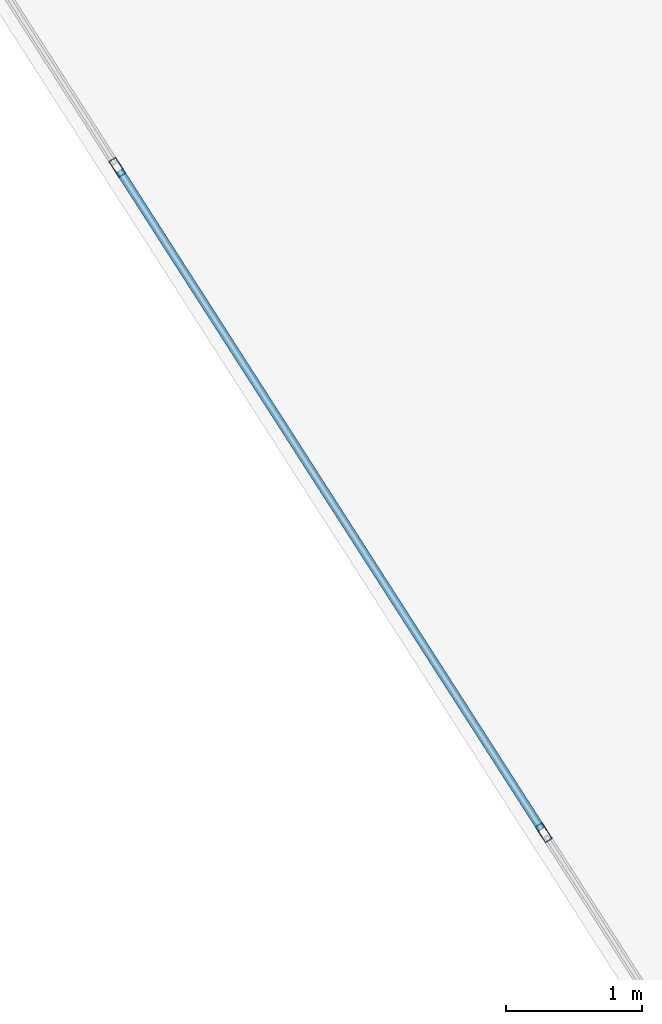
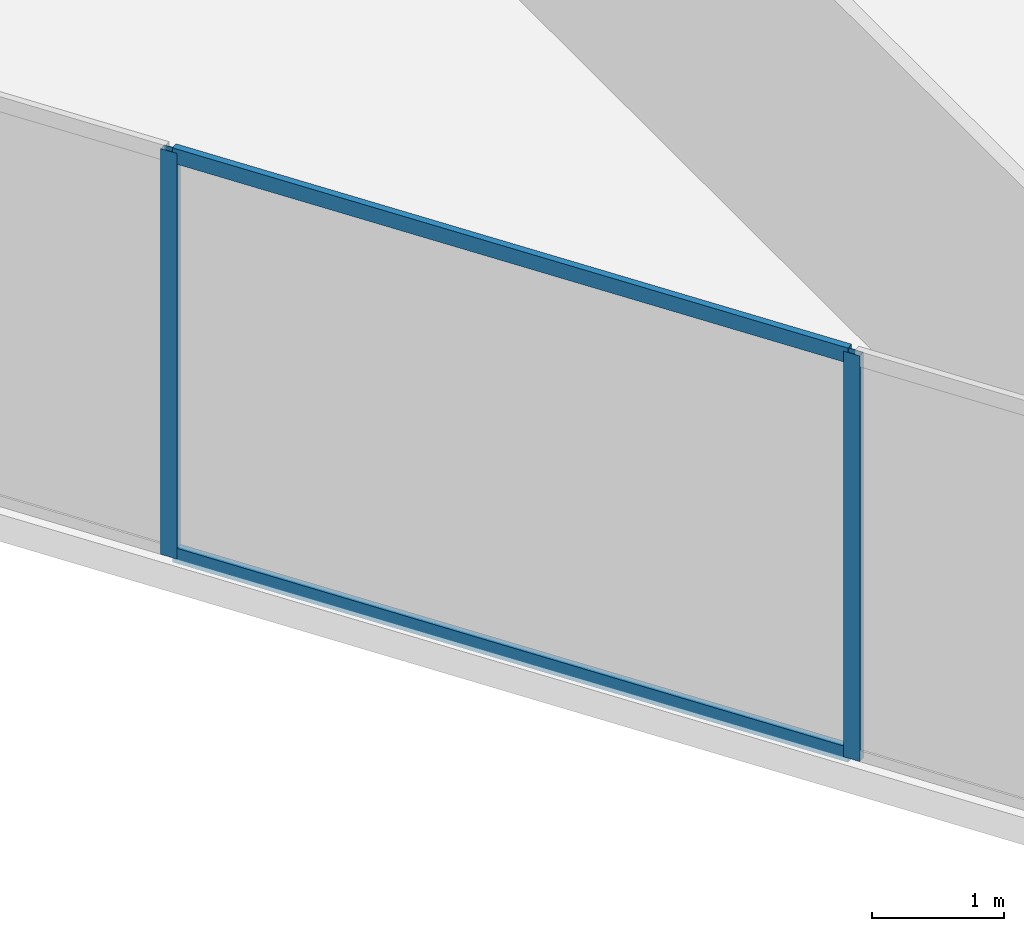
# One storey, part 17 of 26: 4 members, 1 element without a shape of its own.
"""IFC4 building model written with IfcOpenShell, lengths in metres."""

from ifc_helpers import new_model, si_unit, direction, frame, origin, origin_2d, place, context, subcontext, project, spatial, hollow_rectangle, extrude, material, layer, layer_set, material_profile, profile_set, type_object, element, aggregate, save


model = new_model("IFC4")

# Units and contexts
model_context = context("Model", 3, precision=1e-05, world=origin(), true_north=direction((0.0, 1.0)))
body_context = subcontext(model_context, "Body", "Model", "MODEL_VIEW")
ifc_project = project(units=[si_unit("LENGTHUNIT", "METRE"), si_unit("AREAUNIT", "SQUARE_METRE"), si_unit("VOLUMEUNIT", "CUBIC_METRE"), si_unit("PLANEANGLEUNIT", "RADIAN"), si_unit("MASSUNIT", "GRAM", prefix="KILO")], contexts=[model_context])

# Site, building, storey
site_placement = place(None, origin())
site = spatial("IfcSite", under=ifc_project, at=site_placement, CompositionType="ELEMENT")
building_placement = place(site_placement, origin())
building = spatial("IfcBuilding", under=site, at=building_placement, Name="Kravanh Interchange Tower", CompositionType="ELEMENT")
storey_placement = place(building_placement, frame((0.0, 0.0, 108.0)))
storey = spatial("IfcBuildingStorey", under=building, at=storey_placement, Name="L25", CompositionType="ELEMENT", Elevation=108.0)

# Curtain wall, members
ifc_material_1 = material(Name="Anodised Bronze Aluminium", Category="aluminium")
ifc_layer = layer(ifc_material_1, 0.179931640625)
ifc_layer_set = layer_set([ifc_layer], Name="Unitised Curtain Wall System CW-Z2 Mid Office")
curtain_wall_type = type_object("IfcCurtainWallType", Name="Unitised Curtain Wall System CW-Z2 Mid Office", PredefinedType="NOTDEFINED", material=ifc_layer_set)
curtain_wall_placement = place(storey_placement, origin())
curtain_wall = element("IfcCurtainWall", 1, at=curtain_wall_placement, inside=storey, type_object=curtain_wall_type, Name="L25 Unitised Curtain Wall CW-L25-04", PredefinedType="NOTDEFINED")
ifc_material_2 = material(Name="Anodised Bronze Aluminium", Category="aluminium")
ifc_material_profile_1 = material_profile(ifc_material_2, hollow_rectangle(XDim=0.06005859375, YDim=0.139892578125, WallThickness=0.00390625, at=origin_2d()), Name="ALU60X140X4")
ifc_profile_set_1 = profile_set([ifc_material_profile_1], Name="Anodised Bronze Aluminium")
member_type_1 = type_object("IfcMemberType", Name="Curtain Wall Mullion ALU60X140X4 Bronze", PredefinedType="MULLION", material=ifc_profile_set_1)
member_1_placement = place(storey_placement, frame((45.8828125, 16.12109375, 0.0), z_axis=(0.0, 0.0, 1.0), x_axis=(-0.841879939476, -0.539664865919, 0.0)))
member_1 = element("IfcMember", 2, at=member_1_placement, type_object=member_type_1, Name="CW-Z2 mullion 3", PredefinedType="MULLION", context=body_context, shape_type="SweptSolid", body=[
    extrude(hollow_rectangle(XDim=0.06005859375, YDim=0.139892578125, WallThickness=0.00390625, at=origin_2d()), origin(), (0.0, 0.0, 1.0), 3.75),
])
member_2_placement = place(storey_placement, frame((42.741455078125, 21.021728515625, 0.0), z_axis=(0.0, 0.0, 1.0), x_axis=(-0.841879939476, -0.539664865919, 0.0)))
member_2 = element("IfcMember", 3, at=member_2_placement, type_object=member_type_1, Name="CW-Z2 mullion 4", PredefinedType="MULLION", context=body_context, shape_type="SweptSolid", body=[
    extrude(hollow_rectangle(XDim=0.06005859375, YDim=0.139892578125, WallThickness=0.00390625, at=origin_2d()), origin(), (0.0, 0.0, 1.0), 3.75),
])
ifc_material_3 = material(Name="Anodised Bronze Aluminium", Category="aluminium")
ifc_material_profile_2 = material_profile(ifc_material_3, hollow_rectangle(XDim=0.06005859375, YDim=0.139892578125, WallThickness=0.00390625, at=origin_2d()), Name="ALU60X140X4")
ifc_profile_set_2 = profile_set([ifc_material_profile_2], Name="Anodised Bronze Aluminium")
member_type_2 = type_object("IfcMemberType", Name="Curtain Wall Transom ALU60X140X4 Bronze", PredefinedType="USERDEFINED", material=ifc_profile_set_2)
member_3_placement = place(storey_placement, frame((45.86669921875, 16.146484375, 0.030029296875), z_axis=(-0.539677666788, 0.84187173368, 0.0), x_axis=(-0.84187173368, -0.539677666788, 0.0)))
member_3 = element("IfcMember", 4, at=member_3_placement, type_object=member_type_2, Name="CW-Z2 transom 3.1", ObjectType="TRANSOM", PredefinedType="USERDEFINED", context=body_context, shape_type="SweptSolid", body=[
    extrude(hollow_rectangle(XDim=0.06005859375, YDim=0.139892578125, WallThickness=0.00390625, at=origin_2d()), origin(), (0.0, 0.0, 1.0), 5.760986328125),
])
member_4_placement = place(storey_placement, frame((45.86669921875, 16.146484375, 3.719970703125), z_axis=(-0.539677666788, 0.84187173368, 0.0), x_axis=(-0.84187173368, -0.539677666788, 0.0)))
member_4 = element("IfcMember", 5, at=member_4_placement, type_object=member_type_2, Name="CW-Z2 transom 3.2", ObjectType="TRANSOM", PredefinedType="USERDEFINED", context=body_context, shape_type="SweptSolid", body=[
    extrude(hollow_rectangle(XDim=0.06005859375, YDim=0.139892578125, WallThickness=0.00390625, at=origin_2d()), origin(), (0.0, 0.0, 1.0), 5.760986328125),
])
aggregate(curtain_wall, [member_1, member_2, member_3, member_4])

save(model, "model.ifc")
